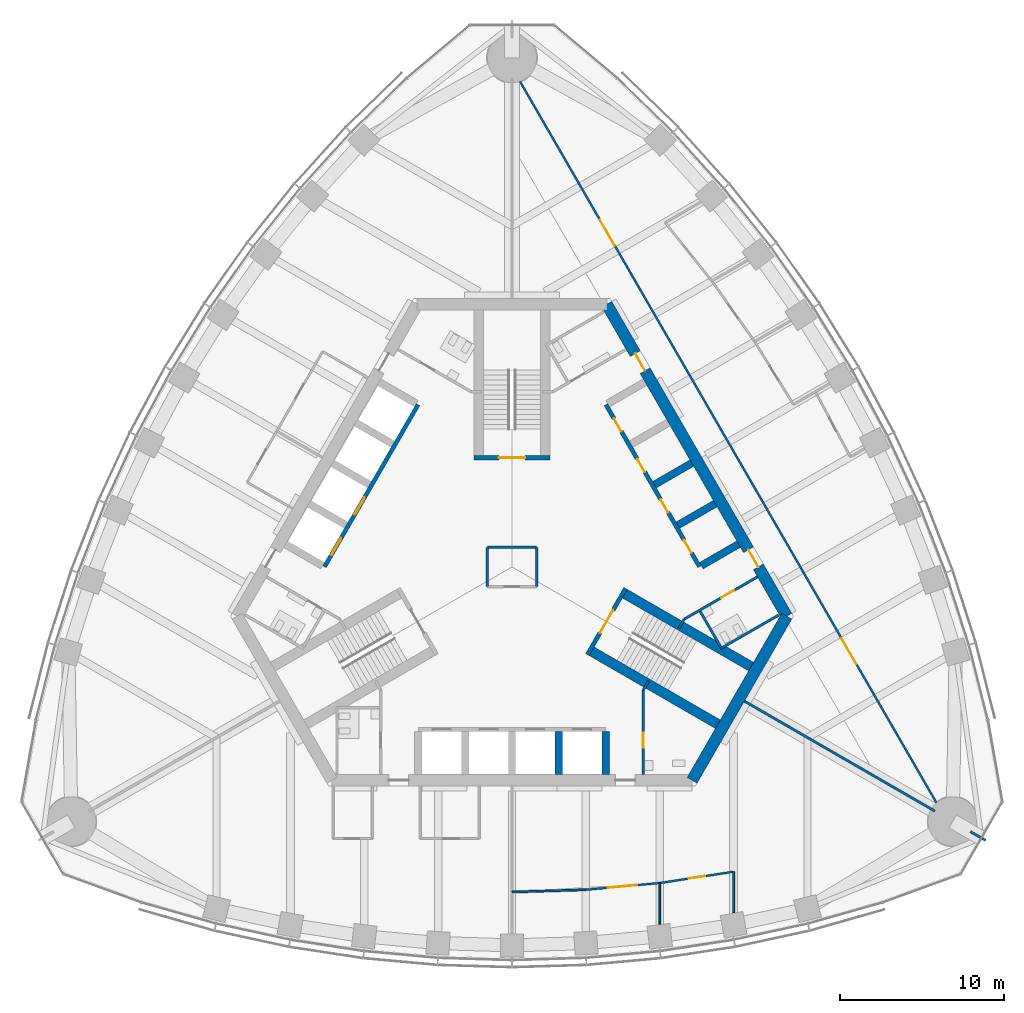
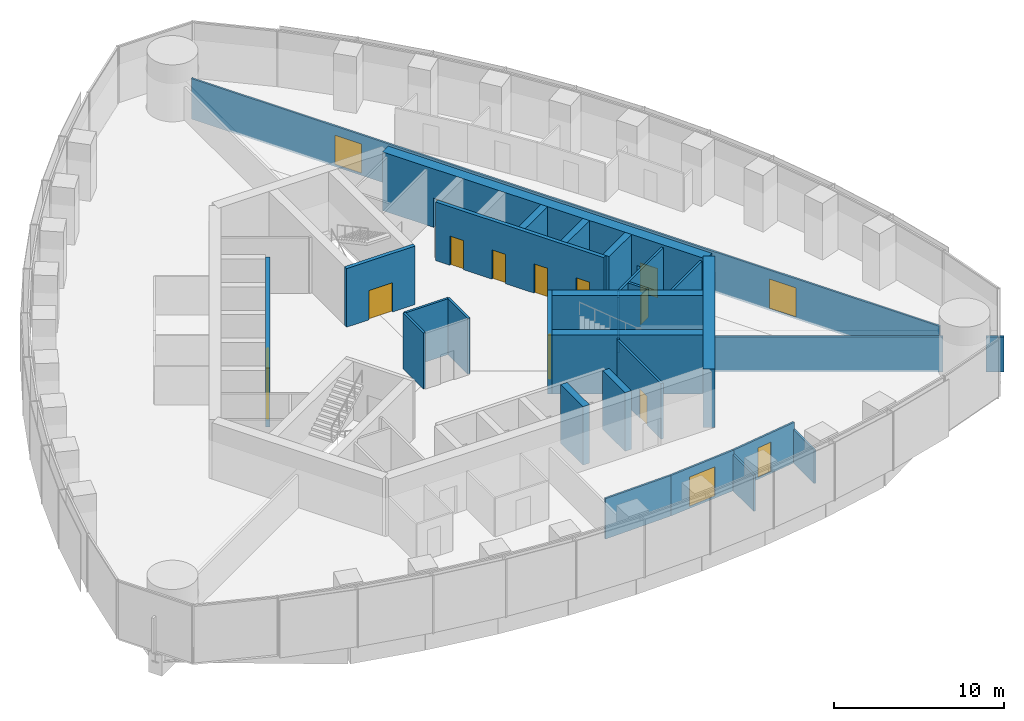
# One storey, part 9 of 15: 30 walls, 16 doors, 16 openings.
"""IFC4 building model written with IfcOpenShell, lengths in metres."""

from ifc_helpers import new_model, si_unit, direction, frame, frame_2d, origin, place, context, subcontext, project, spatial, rectangle, extrude, material, layer, layer_set, type_object, element, fill, save


model = new_model("IFC4")

# Units and contexts
model_context = context("Model", 3, precision=1e-05, world=origin(), true_north=direction((0.0, 1.0)))
body_context = subcontext(model_context, "Body", "Model", "MODEL_VIEW")
ifc_project = project(units=[si_unit("LENGTHUNIT", "METRE"), si_unit("AREAUNIT", "SQUARE_METRE"), si_unit("VOLUMEUNIT", "CUBIC_METRE"), si_unit("PLANEANGLEUNIT", "RADIAN"), si_unit("MASSUNIT", "GRAM", prefix="KILO")], contexts=[model_context])

# Site, building, storey
site_placement = place(None, origin())
site = spatial("IfcSite", under=ifc_project, at=site_placement, CompositionType="ELEMENT")
building_placement = place(site_placement, origin())
building = spatial("IfcBuilding", under=site, at=building_placement, Name="Trefoil Bronze Tower", CompositionType="ELEMENT")
storey_placement = place(building_placement, frame((0.0, 0.0, 276.300048828125)))
storey = spatial("IfcBuildingStorey", under=building, at=storey_placement, Name="L63", CompositionType="ELEMENT", Elevation=276.300048828125)

# Wall
ifc_material_1 = material(Name="Concrete B80", Category="concrete")
ifc_layer_1 = layer(ifc_material_1, 0.699951171875)
ifc_layer_set_1 = layer_set([ifc_layer_1], Name="Core wall 700")
wall_type_1 = type_object("IfcWallType", Name="Core wall 700", PredefinedType="SHEAR", material=ifc_layer_set_1)
wall_1_placement = place(storey_placement, frame((10.9697265625, -13.0, 0.0), z_axis=(0.0, 0.0, 1.0), x_axis=(0.499995765644, 0.866027848477, 0.0)))
element("IfcWall", 1, at=wall_1_placement, inside=storey, type_object=wall_type_1, Name="Core short wall 1 L63", PredefinedType="SHEAR", context=body_context, shape_type="SweptSolid", body=[
    extrude(rectangle(XDim=11.546875, YDim=0.699951171875, at=frame_2d((5.7734375, 0.0))), origin(), (0.0, 0.0, 1.0), 4.199951171875),
])

# Wall, openings, doors
wall_2_placement = place(storey_placement, frame((16.7431640625, -3.0, 0.0), z_axis=(0.0, 0.0, 1.0), x_axis=(-0.500002442456, 0.866023993627, 0.0)))
wall_2 = element("IfcWall", 2, at=wall_2_placement, inside=storey, type_object=wall_type_1, Name="Core long wall 2 L63", PredefinedType="SHEAR", context=body_context, shape_type="SweptSolid", body=[
    extrude(rectangle(XDim=21.939453125, YDim=0.699951171875, at=frame_2d((10.9697265625, 0.0))), origin(), (0.0, 0.0, 1.0), 4.199951171875),
])
opening_1_placement = place(wall_2_placement, frame((17.269775390625, 0.0, 0.0)))
opening_1 = element("IfcOpeningElement", 3, at=opening_1_placement, cuts=wall_2, Name="Opening D2", PredefinedType="OPENING", context=body_context, shape_type="SweptSolid", body=[
    extrude(rectangle(XDim=1.199951171875, YDim=2.10009765625, at=frame_2d((0.60009765625, 1.050048828125))), frame((0.0, 0.35986328125, 0.0), z_axis=(0.0, -1.0, 0.0), x_axis=(1.0, 0.0, 0.0)), (0.0, 0.0, 1.0), 0.719970703125),
])
opening_2_placement = place(wall_2_placement, frame((3.4697265625, 0.0, 0.0)))
opening_2 = element("IfcOpeningElement", 4, at=opening_2_placement, cuts=wall_2, Name="Opening D2", PredefinedType="OPENING", context=body_context, shape_type="SweptSolid", body=[
    extrude(rectangle(XDim=1.199951171875, YDim=2.10009765625, at=frame_2d((0.60009765625, 1.050048828125))), frame((0.0, 0.35986328125, 0.0), z_axis=(0.0, -1.0, 0.0), x_axis=(1.0, 0.0, 0.0)), (0.0, 0.0, 1.0), 0.719970703125),
])
ifc_material_2 = material(Name="Steel door", Category="steel")
door_type_1 = type_object("IfcDoorType", Name="Lobby door 1200", OperationType="SINGLE_SWING_RIGHT", PredefinedType="DOOR", material=ifc_material_2)
door_1_placement = place(opening_1_placement, origin())
door_1 = element("IfcDoor", 5, at=door_1_placement, inside=storey, type_object=door_type_1, Name="Lobby door F2+ L63", OperationType="SINGLE_SWING_RIGHT", OverallHeight=2.10009765625, OverallWidth=1.199951171875, PredefinedType="DOOR", context=body_context, shape_type="SweptSolid", body=[
    extrude(rectangle(XDim=1.199951171875, YDim=2.10009765625, at=frame_2d((0.60009765625, 1.050048828125))), frame((0.0, 0.02490234375, 0.0), z_axis=(0.0, -1.0, 0.0), x_axis=(1.0, 0.0, 0.0)), (0.0, 0.0, 1.0), 0.050048828125),
])
fill(opening_1, door_1)
door_2_placement = place(opening_2_placement, origin())
door_2 = element("IfcDoor", 6, at=door_2_placement, inside=storey, type_object=door_type_1, Name="Lobby door F2- L63", OperationType="SINGLE_SWING_LEFT", OverallHeight=2.10009765625, OverallWidth=1.199951171875, PredefinedType="DOOR", context=body_context, shape_type="SweptSolid", body=[
    extrude(rectangle(XDim=1.199951171875, YDim=2.10009765625, at=frame_2d((0.60009765625, 1.050048828125))), frame((0.0, 0.02490234375, 0.0), z_axis=(0.0, -1.0, 0.0), x_axis=(1.0, 0.0, 0.0)), (0.0, 0.0, 1.0), 0.050048828125),
])
fill(opening_2, door_2)

# Wall
ifc_material_3 = material(Name="Glazed partition", Category="glass")
ifc_layer_2 = layer(ifc_material_3, 0.1201171875)
ifc_layer_set_2 = layer_set([ifc_layer_2], Name="Glazed partition 120")
wall_type_2 = type_object("IfcWallType", Name="Glazed partition 120", PredefinedType="PARTITIONING", material=ifc_layer_set_2)
wall_3_placement = place(storey_placement, frame((0.0, -19.801513671875, 0.0), z_axis=(0.0, 0.0, 1.0), x_axis=(0.999542074227, 0.030259574513, 0.0)))
element("IfcWall", 7, at=wall_3_placement, inside=storey, type_object=wall_type_2, Name="Partition F1 L63", PredefinedType="PARTITIONING", context=body_context, shape_type="SweptSolid", body=[
    extrude(rectangle(XDim=4.501953125, YDim=0.1201171875, at=frame_2d((2.2509765625, 0.0))), origin(), (0.0, 0.0, 1.0), 2.89990234375),
])

# Wall, opening, door
wall_4_placement = place(storey_placement, frame((4.5, -19.665283203125, 0.0), z_axis=(0.0, 0.0, 1.0), x_axis=(0.995871921504, 0.090769576179, 0.0)))
wall_4 = element("IfcWall", 8, at=wall_4_placement, inside=storey, type_object=wall_type_2, Name="Partition F1 L63", PredefinedType="PARTITIONING", context=body_context, shape_type="SweptSolid", body=[
    extrude(rectangle(XDim=4.5185546875, YDim=0.1201171875, at=frame_2d((2.25927734375, 0.0))), origin(), (0.0, 0.0, 1.0), 2.89990234375),
])
opening_3_placement = place(wall_4_placement, frame((1.35009765625, 0.0, 0.14990234375)))
opening_3 = element("IfcOpeningElement", 9, at=opening_3_placement, cuts=wall_4, Name="Opening D10", PredefinedType="OPENING", context=body_context, shape_type="SweptSolid", body=[
    extrude(rectangle(XDim=1.800048828125, YDim=2.10009765625, at=frame_2d((0.89990234375, 1.050048828125))), frame((0.0, 0.070068359375, 0.0), z_axis=(0.0, -1.0, 0.0), x_axis=(1.0, 0.0, 0.0)), (0.0, 0.0, 1.0), 0.14013671875),
])
ifc_material_4 = material(Name="Timber door", Category="wood")
door_type_2 = type_object("IfcDoorType", Name="Double door 1800", OperationType="DOUBLE_DOOR_SINGLE_SWING", PredefinedType="DOOR", material=ifc_material_4)
door_3_placement = place(opening_3_placement, frame((1.800048828125, 0.0, 0.0), z_axis=(0.0, 0.0, 1.0), x_axis=(-1.0, 0.0, 0.0)))
door_3 = element("IfcDoor", 10, at=door_3_placement, inside=storey, type_object=door_type_2, Name="Kitchen and breakout door F1 L63", OperationType="DOUBLE_DOOR_SINGLE_SWING", OverallHeight=2.10009765625, OverallWidth=1.800048828125, PredefinedType="DOOR", context=body_context, shape_type="SweptSolid", body=[
    extrude(rectangle(XDim=1.800048828125, YDim=2.10009765625, at=frame_2d((0.89990234375, 1.050048828125))), frame((0.0, 0.02490234375, 0.0), z_axis=(0.0, -1.0, 0.0), x_axis=(1.0, 0.0, 0.0)), (0.0, 0.0, 1.0), 0.050048828125),
])
fill(opening_3, door_3)

wall_5_placement = place(storey_placement, frame((9.0, -19.255126953125, 0.0), z_axis=(0.0, 0.0, 1.0), x_axis=(0.988481794406, 0.151339823341, 0.0)))
wall_5 = element("IfcWall", 11, at=wall_5_placement, inside=storey, type_object=wall_type_2, Name="Partition F1 L63", PredefinedType="PARTITIONING", context=body_context, shape_type="SweptSolid", body=[
    extrude(rectangle(XDim=4.552490234375, YDim=0.1201171875, at=frame_2d((2.2763671875, 0.0))), origin(), (0.0, 0.0, 1.0), 2.89990234375),
])
opening_4_placement = place(wall_5_placement, frame((1.800048828125, 0.0, 0.14990234375)))
opening_4 = element("IfcOpeningElement", 12, at=opening_4_placement, cuts=wall_5, Name="Opening D9", PredefinedType="OPENING", context=body_context, shape_type="SweptSolid", body=[
    extrude(rectangle(XDim=1.0, YDim=2.10009765625, at=frame_2d((0.5, 1.050048828125))), frame((0.0, 0.070068359375, 0.0), z_axis=(0.0, -1.0, 0.0), x_axis=(1.0, 0.0, 0.0)), (0.0, 0.0, 1.0), 0.14013671875),
])
ifc_material_5 = material(Name="Glazed timber door", Category="wood")
door_type_3 = type_object("IfcDoorType", Name="Meeting room door 1000", OperationType="SINGLE_SWING_LEFT", PredefinedType="DOOR", material=ifc_material_5)
door_4_placement = place(opening_4_placement, frame((1.0, 0.0, 0.0), z_axis=(0.0, 0.0, 1.0), x_axis=(-1.0, 0.0, 0.0)))
door_4 = element("IfcDoor", 13, at=door_4_placement, inside=storey, type_object=door_type_3, Name="Meeting room door F1 L63", OperationType="SINGLE_SWING_LEFT", OverallHeight=2.10009765625, OverallWidth=1.0, PredefinedType="DOOR", context=body_context, shape_type="SweptSolid", body=[
    extrude(rectangle(XDim=1.0, YDim=2.10009765625, at=frame_2d((0.5, 1.050048828125))), frame((0.0, 0.02490234375, 0.0), z_axis=(0.0, -1.0, 0.0), x_axis=(1.0, 0.0, 0.0)), (0.0, 0.0, 1.0), 0.050048828125),
])
fill(opening_4, door_4)

# Walls
wall_6_placement = place(storey_placement, frame((13.5, -18.566162109375, 0.0), z_axis=(0.0, 0.0, 1.0), x_axis=(0.0, -1.0, 0.0)))
element("IfcWall", 14, at=wall_6_placement, inside=storey, type_object=wall_type_2, Name="Partition F1 L63", PredefinedType="PARTITIONING", context=body_context, shape_type="SweptSolid", body=[
    extrude(rectangle(XDim=2.494384765625, YDim=0.1201171875, at=frame_2d((1.2470703125, 0.0))), origin(), (0.0, 0.0, 1.0), 2.39990234375),
])
wall_7_placement = place(storey_placement, frame((9.0, -19.255126953125, 0.0), z_axis=(0.0, 0.0, 1.0), x_axis=(0.0, -1.0, 0.0)))
element("IfcWall", 15, at=wall_7_placement, inside=storey, type_object=wall_type_2, Name="Partition F1 L63", PredefinedType="PARTITIONING", context=body_context, shape_type="SweptSolid", body=[
    extrude(rectangle(XDim=2.5087890625, YDim=0.1201171875, at=frame_2d((1.25439453125, 0.0))), origin(), (0.0, 0.0, 1.0), 2.599853515625),
])

# Wall, openings, doors
wall_8_placement = place(storey_placement, frame((25.854248046875, -14.36083984375, 0.0), z_axis=(0.0, 0.0, 1.0), x_axis=(-0.499999496503, 0.866025694478, 0.0)))
wall_8 = element("IfcWall", 16, at=wall_8_placement, inside=storey, type_object=wall_type_2, Name="Partition F2 L63", PredefinedType="PARTITIONING", context=body_context, shape_type="SweptSolid", body=[
    extrude(rectangle(XDim=50.7275390625, YDim=0.1201171875, at=frame_2d((25.36376953125, 0.0))), origin(), (0.0, 0.0, 1.0), 2.89990234375),
])
opening_5_placement = place(wall_8_placement, frame((9.75, 0.0, 0.14990234375)))
opening_5 = element("IfcOpeningElement", 17, at=opening_5_placement, cuts=wall_8, Name="Opening D10", PredefinedType="OPENING", context=body_context, shape_type="SweptSolid", body=[
    extrude(rectangle(XDim=1.800048828125, YDim=2.10009765625, at=frame_2d((0.89990234375, 1.050048828125))), frame((0.0, 0.070068359375, 0.0), z_axis=(0.0, -1.0, 0.0), x_axis=(1.0, 0.0, 0.0)), (0.0, 0.0, 1.0), 0.14013671875),
])
opening_6_placement = place(wall_8_placement, frame((39.199951171875, 0.0, 0.14990234375)))
opening_6 = element("IfcOpeningElement", 18, at=opening_6_placement, cuts=wall_8, Name="Opening D10", PredefinedType="OPENING", context=body_context, shape_type="SweptSolid", body=[
    extrude(rectangle(XDim=1.800048828125, YDim=2.10009765625, at=frame_2d((0.89990234375, 1.050048828125))), frame((0.0, 0.070068359375, 0.0), z_axis=(0.0, -1.0, 0.0), x_axis=(1.0, 0.0, 0.0)), (0.0, 0.0, 1.0), 0.14013671875),
])
door_5_placement = place(opening_5_placement, origin())
door_5 = element("IfcDoor", 19, at=door_5_placement, inside=storey, type_object=door_type_2, Name="Corridor door F2 L63", OperationType="DOUBLE_DOOR_SINGLE_SWING", OverallHeight=2.10009765625, OverallWidth=1.800048828125, PredefinedType="DOOR", context=body_context, shape_type="SweptSolid", body=[
    extrude(rectangle(XDim=1.800048828125, YDim=2.10009765625, at=frame_2d((0.89990234375, 1.050048828125))), frame((0.0, 0.02490234375, 0.0), z_axis=(0.0, -1.0, 0.0), x_axis=(1.0, 0.0, 0.0)), (0.0, 0.0, 1.0), 0.050048828125),
])
fill(opening_5, door_5)
door_6_placement = place(opening_6_placement, origin())
door_6 = element("IfcDoor", 20, at=door_6_placement, inside=storey, type_object=door_type_2, Name="Corridor door F2 L63", OperationType="DOUBLE_DOOR_SINGLE_SWING", OverallHeight=2.10009765625, OverallWidth=1.800048828125, PredefinedType="DOOR", context=body_context, shape_type="SweptSolid", body=[
    extrude(rectangle(XDim=1.800048828125, YDim=2.10009765625, at=frame_2d((0.89990234375, 1.050048828125))), frame((0.0, 0.02490234375, 0.0), z_axis=(0.0, -1.0, 0.0), x_axis=(1.0, 0.0, 0.0)), (0.0, 0.0, 1.0), 0.050048828125),
])
fill(opening_6, door_6)

# Walls
ifc_material_6 = material(Name="Concrete B80", Category="concrete")
ifc_layer_3 = layer(ifc_material_6, 0.449951171875)
ifc_layer_set_3 = layer_set([ifc_layer_3], Name="Outrigger shaft wall 450")
wall_type_3 = type_object("IfcWallType", Name="Outrigger shaft wall 450", PredefinedType="SHEAR", material=ifc_layer_set_3)
for number, where, z_axis, x_axis, name in (
    (21, (2.85009765625, -10.02490234375, 0.0), (0.0, 0.0, 1.0), (0.0, -1.0, 0.0), "Lift shaft side wall A3 L63"),
    (22, (5.699951171875, -10.02490234375, 0.0), (0.0, 0.0, 1.0), (0.0, -1.0, 0.0), "Lift shaft side wall A4 L63"),
    (23, (11.531982421875, 0.076171875, 0.0), (0.0, 0.0, 1.0), (0.866013657776, 0.500020344131, 0.0), "Lift shaft side wall B0 L63"),
    (24, (10.10693359375, 2.54443359375, 0.0), (0.0, 0.0, 1.0), (0.866013657776, 0.500020344131, 0.0), "Lift shaft side wall B1 L63"),
    (25, (8.681884765625, 5.012451171875, 0.0), (0.0, 0.0, 1.0), (0.866036909293, 0.499980071345, 0.0), "Lift shaft side wall B2 L63"),
):
    element("IfcWall", number, at=place(storey_placement, frame(where, z_axis=z_axis, x_axis=x_axis)), inside=storey, type_object=wall_type_3, Name=name, PredefinedType="SHEAR", context=body_context, shape_type="SweptSolid", body=[
        extrude(rectangle(XDim=2.625, YDim=0.449951171875, at=frame_2d((1.3125, 0.0))), origin(), (0.0, 0.0, 1.0), 4.199951171875),
    ])

# Wall, opening, door
ifc_material_7 = material(Name="Gypsum board on steel studs", Category="steel")
ifc_layer_4 = layer(ifc_material_7, 0.14990234375)
ifc_layer_set_4 = layer_set([ifc_layer_4], Name="Partition 150")
wall_type_4 = type_object("IfcWallType", Name="Partition 150", PredefinedType="PARTITIONING", material=ifc_layer_set_4)
wall_9_placement = place(storey_placement, frame((8.0, -7.5, 0.0), z_axis=(0.0, 0.0, 1.0), x_axis=(0.0, -1.0, 0.0)))
wall_9 = element("IfcWall", 26, at=wall_9_placement, inside=storey, type_object=wall_type_4, Name="Passage wall F1+ L63", PredefinedType="PARTITIONING", context=body_context, shape_type="SweptSolid", body=[
    extrude(rectangle(XDim=5.14990234375, YDim=0.14990234375, at=frame_2d((2.574951171875, 0.0))), origin(), (0.0, 0.0, 1.0), 4.0),
])
opening_7_placement = place(wall_9_placement, frame((2.60009765625, 0.0, 0.0)))
opening_7 = element("IfcOpeningElement", 27, at=opening_7_placement, cuts=wall_9, Name="Opening D3", PredefinedType="OPENING", context=body_context, shape_type="SweptSolid", body=[
    extrude(rectangle(XDim=0.89990234375, YDim=2.10009765625, at=frame_2d((0.449951171875, 1.050048828125))), frame((0.0, 0.0849609375, 0.0), z_axis=(0.0, -1.0, 0.0), x_axis=(1.0, 0.0, 0.0)), (0.0, 0.0, 1.0), 0.169921875),
])
ifc_material_8 = material(Name="Timber door", Category="wood")
door_type_4 = type_object("IfcDoorType", Name="WC door 900", OperationType="SINGLE_SWING_LEFT", PredefinedType="DOOR", material=ifc_material_8)
door_7_placement = place(opening_7_placement, origin())
door_7 = element("IfcDoor", 28, at=door_7_placement, inside=storey, type_object=door_type_4, Name="Accessible WC door L63", OperationType="SINGLE_SWING_RIGHT", OverallHeight=2.10009765625, OverallWidth=0.89990234375, PredefinedType="DOOR", context=body_context, shape_type="SweptSolid", body=[
    extrude(rectangle(XDim=0.89990234375, YDim=2.10009765625, at=frame_2d((0.449951171875, 1.050048828125))), frame((0.0, 0.02490234375, 0.0), z_axis=(0.0, -1.0, 0.0), x_axis=(1.0, 0.0, 0.0)), (0.0, 0.0, 1.0), 0.050048828125),
])
fill(opening_7, door_7)

wall_10_placement = place(storey_placement, frame((10.4951171875, -3.17822265625, 0.0), z_axis=(0.0, 0.0, 1.0), x_axis=(0.866037967349, 0.499978238636, 0.0)))
wall_10 = element("IfcWall", 29, at=wall_10_placement, inside=storey, type_object=wall_type_4, Name="Passage wall F2- L63", PredefinedType="PARTITIONING", context=body_context, shape_type="SweptSolid", body=[
    extrude(rectangle(XDim=5.150146484375, YDim=0.14990234375, at=frame_2d((2.5751953125, 0.0))), origin(), (0.0, 0.0, 1.0), 4.0),
])
opening_8_placement = place(wall_10_placement, frame((2.60009765625, 0.0, 0.0)))
opening_8 = element("IfcOpeningElement", 30, at=opening_8_placement, cuts=wall_10, Name="Opening D3", PredefinedType="OPENING", context=body_context, shape_type="SweptSolid", body=[
    extrude(rectangle(XDim=0.89990234375, YDim=2.10009765625, at=frame_2d((0.449951171875, 1.050048828125))), frame((0.0, 0.0849609375, 0.0), z_axis=(0.0, -1.0, 0.0), x_axis=(1.0, 0.0, 0.0)), (0.0, 0.0, 1.0), 0.169921875),
])
door_8_placement = place(opening_8_placement, frame((0.89990234375, 0.0, 0.0), z_axis=(0.0, 0.0, 1.0), x_axis=(-1.0, 0.0, 0.0)))
door_8 = element("IfcDoor", 31, at=door_8_placement, inside=storey, type_object=door_type_4, Name="WC (women) door L63", OperationType="SINGLE_SWING_RIGHT", OverallHeight=2.10009765625, OverallWidth=0.89990234375, PredefinedType="DOOR", context=body_context, shape_type="SweptSolid", body=[
    extrude(rectangle(XDim=0.89990234375, YDim=2.10009765625, at=frame_2d((0.449951171875, 1.050048828125))), frame((0.0, 0.02490234375, 0.0), z_axis=(0.0, -1.0, 0.0), x_axis=(1.0, 0.0, 0.0)), (0.0, 0.0, 1.0), 0.050048828125),
])
fill(opening_8, door_8)

# Walls
for number, where, z_axis, x_axis, name in (
    (32, (8.0, -7.5, 0.0), (0.0, 0.0, 1.0), (0.499842556608, 0.866116284689, 0.0), "WC wall ST1-1 L63"),
    (33, (10.4951171875, -3.17822265625, 0.0), (0.0, 0.0, 1.0), (-0.499842556608, -0.866116284689, 0.0), "WC wall ST1+1 L63"),
):
    element("IfcWall", number, at=place(storey_placement, frame(where, z_axis=z_axis, x_axis=x_axis)), inside=storey, type_object=wall_type_4, Name=name, PredefinedType="PARTITIONING", context=body_context, shape_type="SweptSolid", body=[
        extrude(rectangle(XDim=0.645263671875, YDim=0.14990234375, at=frame_2d((0.32275390625, 0.0))), origin(), (0.0, 0.0, 1.0), 4.0),
    ])
wall_11_placement = place(storey_placement, frame((12.691162109375, -4.98193359375, 0.0), z_axis=(0.0, 0.0, 1.0), x_axis=(0.8660249478, 0.500000789788, 0.0)))
element("IfcWall", 34, at=wall_11_placement, inside=storey, type_object=wall_type_4, Name="WC partition WC (women) L63", PredefinedType="PARTITIONING", context=body_context, shape_type="SweptSolid", body=[
    extrude(rectangle(XDim=4.10009765625, YDim=0.14990234375, at=frame_2d((2.050048828125, 0.0))), origin(), (0.0, 0.0, 1.0), 4.0),
])
wall_12_placement = place(storey_placement, frame((11.463623046875, -2.70556640625, 0.0), z_axis=(0.0, 0.0, 1.0), x_axis=(0.50001992892, -0.866013897511, 0.0)))
element("IfcWall", 35, at=wall_12_placement, inside=storey, type_object=wall_type_4, Name="WC partition WC (women) L63", PredefinedType="PARTITIONING", context=body_context, shape_type="SweptSolid", body=[
    extrude(rectangle(XDim=2.51025390625, YDim=0.14990234375, at=frame_2d((1.255126953125, 0.0))), origin(), (0.0, 0.0, 1.0), 4.0),
])
ifc_material_9 = material(Name="Gypsum board on steel studs", Category="steel")
ifc_layer_5 = layer(ifc_material_9, 0.14990234375)
ifc_layer_set_5 = layer_set([ifc_layer_5], Name="Party wall 150")
wall_type_5 = type_object("IfcWallType", Name="Party wall 150", PredefinedType="PARTITIONING", material=ifc_layer_set_5)
wall_13_placement = place(storey_placement, frame((14.159423828125, -8.175048828125, 0.0), z_axis=(0.0, 0.0, 1.0), x_axis=(0.866026905467, -0.499997399001, 0.0)))
element("IfcWall", 36, at=wall_13_placement, inside=storey, type_object=wall_type_5, Name="Party wall K1 L63", PredefinedType="PARTITIONING", context=body_context, shape_type="SweptSolid", body=[
    extrude(rectangle(XDim=13.39990234375, YDim=0.14990234375, at=frame_2d((6.699951171875, 0.0))), origin(), (0.0, 0.0, 1.0), 2.5),
])
wall_14_placement = place(storey_placement, frame((27.92919921875, -16.125, 0.0), z_axis=(0.0, 0.0, 1.0), x_axis=(0.866086810508, -0.499893625349, 0.0)))
element("IfcWall", 37, at=wall_14_placement, inside=storey, type_object=wall_type_5, Name="Party wall K1 L63", PredefinedType="PARTITIONING", context=body_context, shape_type="SweptSolid", body=[
    extrude(rectangle(XDim=1.070068359375, YDim=0.14990234375, at=frame_2d((0.53515625, 0.0))), origin(), (0.0, 0.0, 1.0), 2.5),
])
ifc_material_10 = material(Name="Gypsum board on steel studs", Category="steel")
ifc_layer_6 = layer(ifc_material_10, 0.14990234375)
ifc_layer_set_6 = layer_set([ifc_layer_6], Name="Riser wall 150")
wall_type_6 = type_object("IfcWallType", Name="Riser wall 150", PredefinedType="PARTITIONING", material=ifc_layer_set_6)
wall_15_placement = place(storey_placement, frame((1.5, -1.199951171875, 0.0), z_axis=(0.0, 0.0, 1.0), x_axis=(0.0, 1.0, 0.0)))
element("IfcWall", 38, at=wall_15_placement, inside=storey, type_object=wall_type_6, Name="Riser wall L63", PredefinedType="PARTITIONING", context=body_context, shape_type="SweptSolid", body=[
    extrude(rectangle(XDim=2.39990234375, YDim=0.14990234375, at=frame_2d((1.199951171875, 0.0))), origin(), (0.0, 0.0, 1.0), 4.0),
])
wall_16_placement = place(storey_placement, frame((1.5, 1.199951171875, 0.0), z_axis=(0.0, 0.0, 1.0), x_axis=(-1.0, 0.0, 0.0)))
element("IfcWall", 39, at=wall_16_placement, inside=storey, type_object=wall_type_6, Name="Riser wall L63", PredefinedType="PARTITIONING", context=body_context, shape_type="SweptSolid", body=[
    extrude(rectangle(XDim=3.0, YDim=0.14990234375, at=frame_2d((1.5, 0.0))), origin(), (0.0, 0.0, 1.0), 4.0),
])
wall_17_placement = place(storey_placement, frame((-1.5, 1.199951171875, 0.0), z_axis=(0.0, 0.0, 1.0), x_axis=(0.0, -1.0, 0.0)))
element("IfcWall", 40, at=wall_17_placement, inside=storey, type_object=wall_type_6, Name="Riser wall L63", PredefinedType="PARTITIONING", context=body_context, shape_type="SweptSolid", body=[
    extrude(rectangle(XDim=2.39990234375, YDim=0.14990234375, at=frame_2d((1.199951171875, 0.0))), origin(), (0.0, 0.0, 1.0), 4.0),
])

# Wall, openings, doors
ifc_material_11 = material(Name="Concrete B80", Category="concrete")
ifc_layer_7 = layer(ifc_material_11, 0.25)
ifc_layer_set_7 = layer_set([ifc_layer_7], Name="Shaft wall 250")
wall_type_7 = type_object("IfcWallType", Name="Shaft wall 250", PredefinedType="SHEAR", material=ifc_layer_set_7)
wall_18_placement = place(storey_placement, frame((11.423583984375, 0.013671875, 0.0), z_axis=(0.0, 0.0, 1.0), x_axis=(-0.500001763848, 0.866024385424, 0.0)))
wall_18 = element("IfcWall", 41, at=wall_18_placement, inside=storey, type_object=wall_type_7, Name="Lift shaft front wall B L63", PredefinedType="SHEAR", context=body_context, shape_type="SweptSolid", body=[
    extrude(rectangle(XDim=11.39990234375, YDim=0.25, at=frame_2d((5.699951171875, 0.0))), origin(), (0.0, 0.0, 1.0), 4.199951171875),
])
opening_9_placement = place(wall_18_placement, frame((0.97509765625, 0.0, 0.0)))
opening_9 = element("IfcOpeningElement", 42, at=opening_9_placement, cuts=wall_18, Name="Opening D12", PredefinedType="OPENING", context=body_context, shape_type="SweptSolid", body=[
    extrude(rectangle(XDim=0.89990234375, YDim=2.10009765625, at=frame_2d((0.449951171875, 1.050048828125))), frame((0.0, 0.135009765625, 0.0), z_axis=(0.0, -1.0, 0.0), x_axis=(1.0, 0.0, 0.0)), (0.0, 0.0, 1.0), 0.27001953125),
])
opening_10_placement = place(wall_18_placement, frame((3.824951171875, 0.0, 0.0)))
opening_10 = element("IfcOpeningElement", 43, at=opening_10_placement, cuts=wall_18, Name="Opening D12", PredefinedType="OPENING", context=body_context, shape_type="SweptSolid", body=[
    extrude(rectangle(XDim=0.89990234375, YDim=2.10009765625, at=frame_2d((0.449951171875, 1.050048828125))), frame((0.0, 0.135009765625, 0.0), z_axis=(0.0, -1.0, 0.0), x_axis=(1.0, 0.0, 0.0)), (0.0, 0.0, 1.0), 0.27001953125),
])
opening_11_placement = place(wall_18_placement, frame((6.675048828125, 0.0, 0.0)))
opening_11 = element("IfcOpeningElement", 44, at=opening_11_placement, cuts=wall_18, Name="Opening D12", PredefinedType="OPENING", context=body_context, shape_type="SweptSolid", body=[
    extrude(rectangle(XDim=0.89990234375, YDim=2.10009765625, at=frame_2d((0.449951171875, 1.050048828125))), frame((0.0, 0.135009765625, 0.0), z_axis=(0.0, -1.0, 0.0), x_axis=(1.0, 0.0, 0.0)), (0.0, 0.0, 1.0), 0.27001953125),
])
opening_12_placement = place(wall_18_placement, frame((9.52490234375, 0.0, 0.0)))
opening_12 = element("IfcOpeningElement", 45, at=opening_12_placement, cuts=wall_18, Name="Opening D12", PredefinedType="OPENING", context=body_context, shape_type="SweptSolid", body=[
    extrude(rectangle(XDim=0.89990234375, YDim=2.10009765625, at=frame_2d((0.449951171875, 1.050048828125))), frame((0.0, 0.135009765625, 0.0), z_axis=(0.0, -1.0, 0.0), x_axis=(1.0, 0.0, 0.0)), (0.0, 0.0, 1.0), 0.27001953125),
])
ifc_material_12 = material(Name="Steel door", Category="steel")
door_type_5 = type_object("IfcDoorType", Name="Shaft room door 900", OperationType="SINGLE_SWING_LEFT", PredefinedType="DOOR", material=ifc_material_12)
door_9_placement = place(opening_9_placement, frame((0.89990234375, 0.0, 0.0), z_axis=(0.0, 0.0, 1.0), x_axis=(-1.0, 0.0, 0.0)))
door_9 = element("IfcDoor", 46, at=door_9_placement, inside=storey, type_object=door_type_5, Name="Shaft room door B1 L63", OperationType="SINGLE_SWING_LEFT", OverallHeight=2.10009765625, OverallWidth=0.89990234375, PredefinedType="DOOR", context=body_context, shape_type="SweptSolid", body=[
    extrude(rectangle(XDim=0.89990234375, YDim=2.10009765625, at=frame_2d((0.449951171875, 1.050048828125))), frame((0.0, 0.02490234375, 0.0), z_axis=(0.0, -1.0, 0.0), x_axis=(1.0, 0.0, 0.0)), (0.0, 0.0, 1.0), 0.050048828125),
])
fill(opening_9, door_9)
door_10_placement = place(opening_10_placement, frame((0.89990234375, 0.0, 0.0), z_axis=(0.0, 0.0, 1.0), x_axis=(-1.0, 0.0, 0.0)))
door_10 = element("IfcDoor", 47, at=door_10_placement, inside=storey, type_object=door_type_5, Name="Shaft room door B2 L63", OperationType="SINGLE_SWING_RIGHT", OverallHeight=2.10009765625, OverallWidth=0.89990234375, PredefinedType="DOOR", context=body_context, shape_type="SweptSolid", body=[
    extrude(rectangle(XDim=0.89990234375, YDim=2.10009765625, at=frame_2d((0.449951171875, 1.050048828125))), frame((0.0, 0.02490234375, 0.0), z_axis=(0.0, -1.0, 0.0), x_axis=(1.0, 0.0, 0.0)), (0.0, 0.0, 1.0), 0.050048828125),
])
fill(opening_10, door_10)
door_11_placement = place(opening_11_placement, frame((0.89990234375, 0.0, 0.0), z_axis=(0.0, 0.0, 1.0), x_axis=(-1.0, 0.0, 0.0)))
door_11 = element("IfcDoor", 48, at=door_11_placement, inside=storey, type_object=door_type_5, Name="Shaft room door B3 L63", OperationType="SINGLE_SWING_RIGHT", OverallHeight=2.10009765625, OverallWidth=0.89990234375, PredefinedType="DOOR", context=body_context, shape_type="SweptSolid", body=[
    extrude(rectangle(XDim=0.89990234375, YDim=2.10009765625, at=frame_2d((0.449951171875, 1.050048828125))), frame((0.0, 0.02490234375, 0.0), z_axis=(0.0, -1.0, 0.0), x_axis=(1.0, 0.0, 0.0)), (0.0, 0.0, 1.0), 0.050048828125),
])
fill(opening_11, door_11)
door_12_placement = place(opening_12_placement, frame((0.89990234375, 0.0, 0.0), z_axis=(0.0, 0.0, 1.0), x_axis=(-1.0, 0.0, 0.0)))
door_12 = element("IfcDoor", 49, at=door_12_placement, inside=storey, type_object=door_type_5, Name="Shaft room door B4 L63", OperationType="SINGLE_SWING_RIGHT", OverallHeight=2.10009765625, OverallWidth=0.89990234375, PredefinedType="DOOR", context=body_context, shape_type="SweptSolid", body=[
    extrude(rectangle(XDim=0.89990234375, YDim=2.10009765625, at=frame_2d((0.449951171875, 1.050048828125))), frame((0.0, 0.02490234375, 0.0), z_axis=(0.0, -1.0, 0.0), x_axis=(1.0, 0.0, 0.0)), (0.0, 0.0, 1.0), 0.050048828125),
])
fill(opening_12, door_12)

wall_19_placement = place(storey_placement, frame((-5.7236328125, 9.88623046875, 0.0), z_axis=(0.0, 0.0, 1.0), x_axis=(-0.500001763848, -0.866024385424, 0.0)))
wall_19 = element("IfcWall", 50, at=wall_19_placement, inside=storey, type_object=wall_type_7, Name="Lift shaft front wall C L63", PredefinedType="SHEAR", context=body_context, shape_type="SweptSolid", body=[
    extrude(rectangle(XDim=11.39990234375, YDim=0.25, at=frame_2d((5.699951171875, 0.0))), origin(), (0.0, 0.0, 1.0), 4.199951171875),
])
opening_13_placement = place(wall_19_placement, frame((6.52490234375, 0.0, 0.0)))
opening_13 = element("IfcOpeningElement", 51, at=opening_13_placement, cuts=wall_19, Name="Opening LD-FL1", PredefinedType="OPENING", context=body_context, shape_type="SweptSolid", body=[
    extrude(rectangle(XDim=1.199951171875, YDim=2.199951171875, at=frame_2d((0.60009765625, 1.10009765625))), frame((0.0, 0.135009765625, 0.0), z_axis=(0.0, -1.0, 0.0), x_axis=(1.0, 0.0, 0.0)), (0.0, 0.0, 1.0), 0.27001953125),
])
opening_14_placement = place(wall_19_placement, frame((9.375, 0.0, 0.0)))
opening_14 = element("IfcOpeningElement", 52, at=opening_14_placement, cuts=wall_19, Name="Opening LD-FL2", PredefinedType="OPENING", context=body_context, shape_type="SweptSolid", body=[
    extrude(rectangle(XDim=1.199951171875, YDim=2.199951171875, at=frame_2d((0.60009765625, 1.10009765625))), frame((0.0, 0.135009765625, 0.0), z_axis=(0.0, -1.0, 0.0), x_axis=(1.0, 0.0, 0.0)), (0.0, 0.0, 1.0), 0.27001953125),
])
ifc_material_13 = material(Name="Steel door", Category="steel")
door_type_6 = type_object("IfcDoorType", Name="Lift landing door 1200", OperationType="DOUBLE_DOOR_SLIDING", PredefinedType="DOOR", material=ifc_material_13)
door_13_placement = place(opening_13_placement, origin())
door_13 = element("IfcDoor", 53, at=door_13_placement, inside=storey, type_object=door_type_6, Name="Lift FL1 landing door L63", OperationType="DOUBLE_DOOR_SLIDING", OverallHeight=2.199951171875, OverallWidth=1.199951171875, PredefinedType="DOOR", context=body_context, shape_type="SweptSolid", body=[
    extrude(rectangle(XDim=1.199951171875, YDim=2.199951171875, at=frame_2d((0.60009765625, 1.10009765625))), frame((0.0, 0.02490234375, 0.0), z_axis=(0.0, -1.0, 0.0), x_axis=(1.0, 0.0, 0.0)), (0.0, 0.0, 1.0), 0.050048828125),
])
fill(opening_13, door_13)
door_14_placement = place(opening_14_placement, origin())
door_14 = element("IfcDoor", 54, at=door_14_placement, inside=storey, type_object=door_type_6, Name="Lift FL2 landing door L63", OperationType="DOUBLE_DOOR_SLIDING", OverallHeight=2.199951171875, OverallWidth=1.199951171875, PredefinedType="DOOR", context=body_context, shape_type="SweptSolid", body=[
    extrude(rectangle(XDim=1.199951171875, YDim=2.199951171875, at=frame_2d((0.60009765625, 1.10009765625))), frame((0.0, 0.02490234375, 0.0), z_axis=(0.0, -1.0, 0.0), x_axis=(1.0, 0.0, 0.0)), (0.0, 0.0, 1.0), 0.050048828125),
])
fill(opening_14, door_14)

# Wall, opening, door
wall_20_placement = place(storey_placement, frame((4.5966796875, -5.338623046875, 0.0), z_axis=(0.0, 0.0, 1.0), x_axis=(0.499984536904, 0.866034331223, 0.0)))
wall_20 = element("IfcWall", 55, at=wall_20_placement, inside=storey, type_object=wall_type_7, Name="Stair end wall ST1 L63", PredefinedType="SHEAR", context=body_context, shape_type="SweptSolid", body=[
    extrude(rectangle(XDim=4.650146484375, YDim=0.25, at=frame_2d((2.3251953125, 0.0))), origin(), (0.0, 0.0, 1.0), 4.199951171875),
])
opening_15_placement = place(wall_20_placement, frame((1.52490234375, 0.0, 0.0)))
opening_15 = element("IfcOpeningElement", 56, at=opening_15_placement, cuts=wall_20, Name="Opening D1", PredefinedType="OPENING", context=body_context, shape_type="SweptSolid", body=[
    extrude(rectangle(XDim=1.60009765625, YDim=2.10009765625, at=frame_2d((0.800048828125, 1.050048828125))), frame((0.0, 0.135009765625, 0.0), z_axis=(0.0, -1.0, 0.0), x_axis=(1.0, 0.0, 0.0)), (0.0, 0.0, 1.0), 0.27001953125),
])
ifc_material_14 = material(Name="Steel door", Category="steel")
door_type_7 = type_object("IfcDoorType", Name="Stair door 1600", OperationType="DOUBLE_DOOR_SINGLE_SWING", PredefinedType="DOOR", material=ifc_material_14)
door_15_placement = place(opening_15_placement, frame((1.60009765625, 0.0, 0.0), z_axis=(0.0, 0.0, 1.0), x_axis=(-1.0, 0.0, 0.0)))
door_15 = element("IfcDoor", 57, at=door_15_placement, inside=storey, type_object=door_type_7, Name="Stair door ST1 L63", OperationType="DOUBLE_DOOR_SINGLE_SWING", OverallHeight=2.10009765625, OverallWidth=1.60009765625, PredefinedType="DOOR", context=body_context, shape_type="SweptSolid", body=[
    extrude(rectangle(XDim=1.60009765625, YDim=2.10009765625, at=frame_2d((0.800048828125, 1.050048828125))), frame((0.0, 0.02490234375, 0.0), z_axis=(0.0, -1.0, 0.0), x_axis=(1.0, 0.0, 0.0)), (0.0, 0.0, 1.0), 0.050048828125),
])
fill(opening_15, door_15)

wall_21_placement = place(storey_placement, frame((2.324951171875, 6.64990234375, 0.0), z_axis=(0.0, 0.0, 1.0), x_axis=(-1.0, 0.0, 0.0)))
wall_21 = element("IfcWall", 58, at=wall_21_placement, inside=storey, type_object=wall_type_7, Name="Stair end wall ST2 L63", PredefinedType="SHEAR", context=body_context, shape_type="SweptSolid", body=[
    extrude(rectangle(XDim=4.64990234375, YDim=0.25, at=frame_2d((2.324951171875, 0.0))), origin(), (0.0, 0.0, 1.0), 4.199951171875),
])
opening_16_placement = place(wall_21_placement, frame((1.52490234375, 0.0, 0.0)))
opening_16 = element("IfcOpeningElement", 59, at=opening_16_placement, cuts=wall_21, Name="Opening D1", PredefinedType="OPENING", context=body_context, shape_type="SweptSolid", body=[
    extrude(rectangle(XDim=1.60009765625, YDim=2.10009765625, at=frame_2d((0.800048828125, 1.050048828125))), frame((0.0, 0.135009765625, 0.0), z_axis=(0.0, -1.0, 0.0), x_axis=(1.0, 0.0, 0.0)), (0.0, 0.0, 1.0), 0.27001953125),
])
door_16_placement = place(opening_16_placement, frame((1.60009765625, 0.0, 0.0), z_axis=(0.0, 0.0, 1.0), x_axis=(-1.0, 0.0, 0.0)))
door_16 = element("IfcDoor", 60, at=door_16_placement, inside=storey, type_object=door_type_7, Name="Stair door ST2 L63", OperationType="DOUBLE_DOOR_SINGLE_SWING", OverallHeight=2.10009765625, OverallWidth=1.60009765625, PredefinedType="DOOR", context=body_context, shape_type="SweptSolid", body=[
    extrude(rectangle(XDim=1.60009765625, YDim=2.10009765625, at=frame_2d((0.800048828125, 1.050048828125))), frame((0.0, 0.02490234375, 0.0), z_axis=(0.0, -1.0, 0.0), x_axis=(1.0, 0.0, 0.0)), (0.0, 0.0, 1.0), 0.050048828125),
])
fill(opening_16, door_16)

# Walls
ifc_material_15 = material(Name="Concrete B80", Category="concrete")
ifc_layer_8 = layer(ifc_material_15, 0.60009765625)
ifc_layer_set_8 = layer_set([ifc_layer_8], Name="Stair wall 600")
wall_type_8 = type_object("IfcWallType", Name="Stair wall 600", PredefinedType="SHEAR", material=ifc_layer_set_8)
for number, where, z_axis, x_axis, name in (
    (61, (4.638427734375, -5.01611328125, 0.0), (0.0, 0.0, 1.0), (0.866021621257, -0.500006551472, 0.0), "Stair wall ST1 L63"),
    (62, (6.663330078125, -1.5087890625, 0.0), (0.0, 0.0, 1.0), (0.866028310072, -0.499994966129, 0.0), "Stair wall ST1 L63"),
):
    element("IfcWall", number, at=place(storey_placement, frame(where, z_axis=z_axis, x_axis=x_axis)), inside=storey, type_object=wall_type_8, Name=name, PredefinedType="SHEAR", context=body_context, shape_type="SweptSolid", body=[
        extrude(rectangle(XDim=9.125, YDim=0.60009765625, at=frame_2d((4.5625, 0.0))), origin(), (0.0, 0.0, 1.0), 4.199951171875),
    ])

save(model, "model.ifc")
